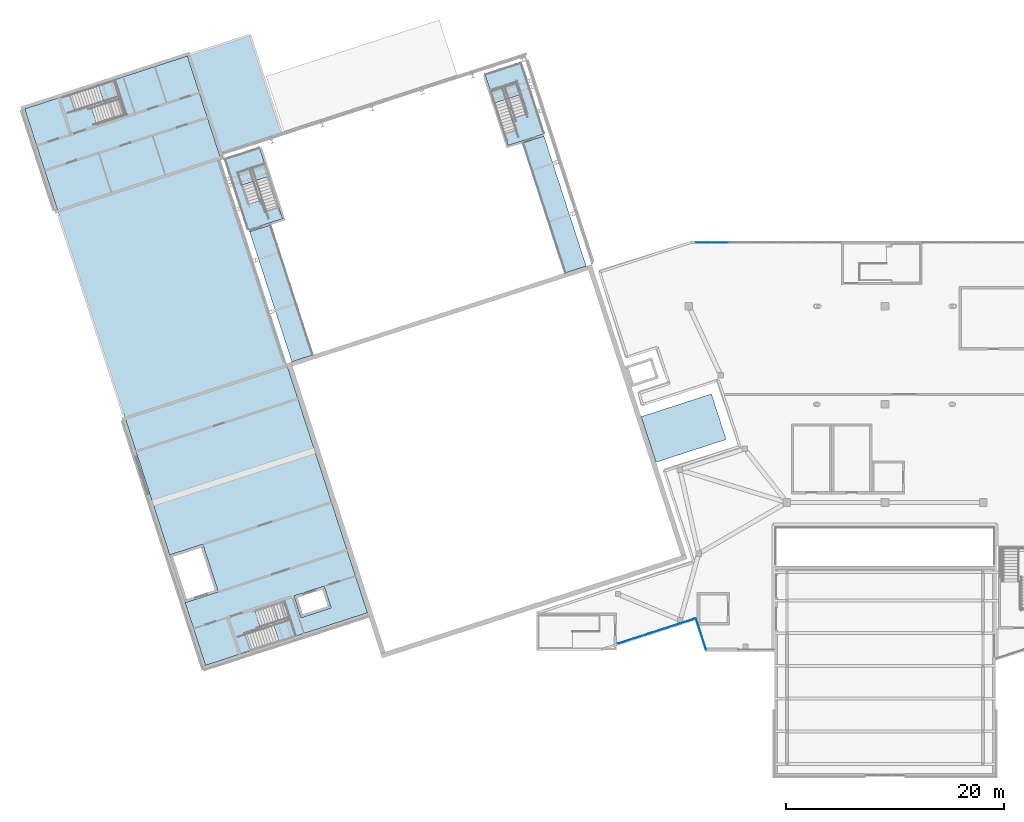
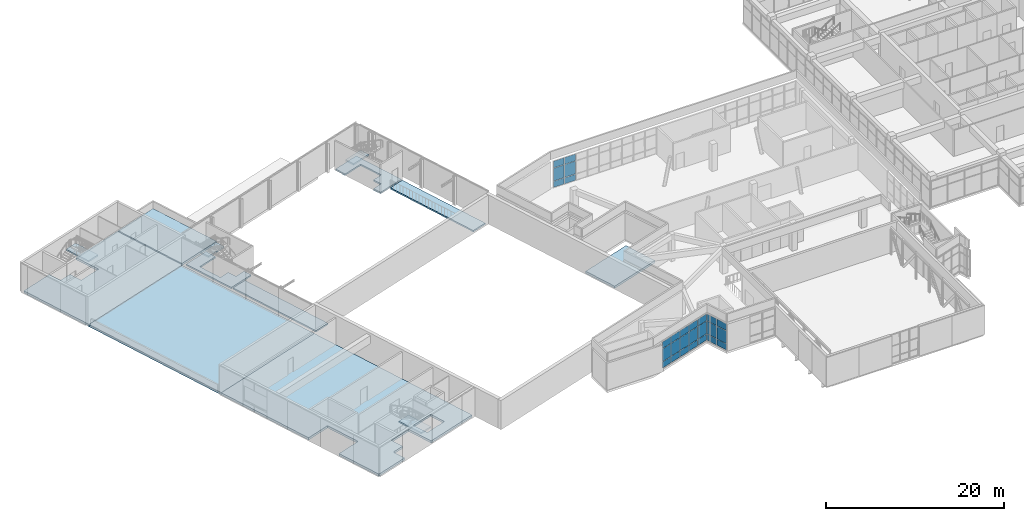
# One storey, part 54 of 72: 27 plates, 13 slabs, 7 elements without a shape of their own.
"""IFC4 building model written with IfcOpenShell, lengths in metres."""

from ifc_helpers import new_model, si_unit, direction, frame, origin, origin_2d, place, context, subcontext, project, spatial, polyline, rectangle, outline, extrude, material, layer, layer_set, type_object, element, aggregate, save


model = new_model("IFC4")

# Units and contexts
model_context = context("Model", 3, precision=1e-05, world=origin(), true_north=direction((0.0, 1.0)))
body_context = subcontext(model_context, "Body", "Model", "MODEL_VIEW")
ifc_project = project(units=[si_unit("LENGTHUNIT", "METRE"), si_unit("AREAUNIT", "SQUARE_METRE"), si_unit("VOLUMEUNIT", "CUBIC_METRE"), si_unit("PLANEANGLEUNIT", "RADIAN"), si_unit("MASSUNIT", "GRAM", prefix="KILO")], contexts=[model_context])

# Site, building, storey
site_placement = place(None, origin())
site = spatial("IfcSite", under=ifc_project, at=site_placement, CompositionType="ELEMENT")
building_placement = place(site_placement, origin())
building = spatial("IfcBuilding", under=site, at=building_placement, Name="Tuart Plaza Theatre", CompositionType="ELEMENT")
storey_placement = place(building_placement, frame((0.0, 0.0, 13.5)))
storey = spatial("IfcBuildingStorey", under=building, at=storey_placement, Name="L03", CompositionType="ELEMENT", Elevation=13.5)

# Curtain wall, plates
ifc_material_1 = material(Name="Aluminium and glass", Category="aluminium")
ifc_layer_1 = layer(ifc_material_1, 0.10009765625)
ifc_layer_set_1 = layer_set([ifc_layer_1], Name="CURTAIN WALL 1500 module")
curtain_wall_type = type_object("IfcCurtainWallType", Name="CURTAIN WALL 1500 module", PredefinedType="NOTDEFINED", material=ifc_layer_set_1)
curtain_wall_1_placement = place(storey_placement, origin())
curtain_wall_1 = element("IfcCurtainWall", 1, at=curtain_wall_1_placement, inside=storey, type_object=curtain_wall_type, Name="CW37", PredefinedType="NOTDEFINED")
ifc_material_2 = material(Name="Glass", Category="glass")
ifc_layer_2 = layer(ifc_material_2, 0.028076171875)
ifc_layer_set_2 = layer_set([ifc_layer_2], Name="CURTAIN PANEL double glazed 28")
plate_type = type_object("IfcPlateType", Name="CURTAIN PANEL double glazed 28", PredefinedType="CURTAIN_PANEL", material=ifc_layer_set_2)
plate_1_placement = place(storey_placement, frame((72.2275390625, 43.281494140625, 0.0498046875), z_axis=(0.0, 0.0, 1.0), x_axis=(0.951066723155, 0.308985579126, 0.0)))
plate_1 = element("IfcPlate", 2, at=plate_1_placement, type_object=plate_type, Name="CW37 panel 1.1", PredefinedType="CURTAIN_PANEL", context=body_context, shape_type="SweptSolid", body=[
    extrude(rectangle(XDim=1.429931640625, YDim=0.028076171875, at=origin_2d()), origin(), (0.0, 0.0, 1.0), 0.824951171875),
])
plate_2_placement = place(storey_placement, frame((72.2275390625, 43.281494140625, 0.925048828125), z_axis=(0.0, 0.0, 1.0), x_axis=(0.951066723155, 0.308985579126, 0.0)))
plate_2 = element("IfcPlate", 3, at=plate_2_placement, type_object=plate_type, Name="CW37 panel 1.2", PredefinedType="CURTAIN_PANEL", context=body_context, shape_type="SweptSolid", body=[
    extrude(rectangle(XDim=1.429931640625, YDim=0.028076171875, at=origin_2d()), origin(), (0.0, 0.0, 1.0), 1.75),
])
plate_3_placement = place(storey_placement, frame((72.2275390625, 43.281494140625, 2.72509765625), z_axis=(0.0, 0.0, 1.0), x_axis=(0.951066723155, 0.308985579126, 0.0)))
plate_3 = element("IfcPlate", 4, at=plate_3_placement, type_object=plate_type, Name="CW37 panel 1.3", PredefinedType="CURTAIN_PANEL", context=body_context, shape_type="SweptSolid", body=[
    extrude(rectangle(XDim=1.429931640625, YDim=0.028076171875, at=origin_2d()), origin(), (0.0, 0.0, 1.0), 0.925048828125),
])
plate_4_placement = place(storey_placement, frame((73.64697265625, 43.742431640625, 0.0498046875), z_axis=(0.0, 0.0, 1.0), x_axis=(0.951066723155, 0.308985579126, 0.0)))
plate_4 = element("IfcPlate", 5, at=plate_4_placement, type_object=plate_type, Name="CW37 panel 2.1", PredefinedType="CURTAIN_PANEL", context=body_context, shape_type="SweptSolid", body=[
    extrude(rectangle(XDim=1.454833984375, YDim=0.028076171875, at=origin_2d()), origin(), (0.0, 0.0, 1.0), 0.824951171875),
])
plate_5_placement = place(storey_placement, frame((73.64697265625, 43.742431640625, 0.925048828125), z_axis=(0.0, 0.0, 1.0), x_axis=(0.951066723155, 0.308985579126, 0.0)))
plate_5 = element("IfcPlate", 6, at=plate_5_placement, type_object=plate_type, Name="CW37 panel 2.2", PredefinedType="CURTAIN_PANEL", context=body_context, shape_type="SweptSolid", body=[
    extrude(rectangle(XDim=1.454833984375, YDim=0.028076171875, at=origin_2d()), origin(), (0.0, 0.0, 1.0), 1.75),
])
plate_6_placement = place(storey_placement, frame((73.64697265625, 43.742431640625, 2.72509765625), z_axis=(0.0, 0.0, 1.0), x_axis=(0.951066723155, 0.308985579126, 0.0)))
plate_6 = element("IfcPlate", 7, at=plate_6_placement, type_object=plate_type, Name="CW37 panel 2.3", PredefinedType="CURTAIN_PANEL", context=body_context, shape_type="SweptSolid", body=[
    extrude(rectangle(XDim=1.454833984375, YDim=0.028076171875, at=origin_2d()), origin(), (0.0, 0.0, 1.0), 0.925048828125),
])
plate_7_placement = place(storey_placement, frame((75.078125, 44.20751953125, 0.0498046875), z_axis=(0.0, 0.0, 1.0), x_axis=(0.951066723155, 0.308985579126, 0.0)))
plate_7 = element("IfcPlate", 8, at=plate_7_placement, type_object=plate_type, Name="CW37 panel 3.1", PredefinedType="CURTAIN_PANEL", context=body_context, shape_type="SweptSolid", body=[
    extrude(rectangle(XDim=1.454833984375, YDim=0.028076171875, at=origin_2d()), origin(), (0.0, 0.0, 1.0), 0.824951171875),
])
plate_8_placement = place(storey_placement, frame((75.078125, 44.20751953125, 0.925048828125), z_axis=(0.0, 0.0, 1.0), x_axis=(0.951066723155, 0.308985579126, 0.0)))
plate_8 = element("IfcPlate", 9, at=plate_8_placement, type_object=plate_type, Name="CW37 panel 3.2", PredefinedType="CURTAIN_PANEL", context=body_context, shape_type="SweptSolid", body=[
    extrude(rectangle(XDim=1.454833984375, YDim=0.028076171875, at=origin_2d()), origin(), (0.0, 0.0, 1.0), 1.75),
])
plate_9_placement = place(storey_placement, frame((75.078125, 44.20751953125, 2.72509765625), z_axis=(0.0, 0.0, 1.0), x_axis=(0.951066723155, 0.308985579126, 0.0)))
plate_9 = element("IfcPlate", 10, at=plate_9_placement, type_object=plate_type, Name="CW37 panel 3.3", PredefinedType="CURTAIN_PANEL", context=body_context, shape_type="SweptSolid", body=[
    extrude(rectangle(XDim=1.454833984375, YDim=0.028076171875, at=origin_2d()), origin(), (0.0, 0.0, 1.0), 0.925048828125),
])
plate_10_placement = place(storey_placement, frame((76.509521484375, 44.672607421875, 0.0498046875), z_axis=(0.0, 0.0, 1.0), x_axis=(0.951066723155, 0.308985579126, 0.0)))
plate_10 = element("IfcPlate", 11, at=plate_10_placement, type_object=plate_type, Name="CW37 panel 4.1", PredefinedType="CURTAIN_PANEL", context=body_context, shape_type="SweptSolid", body=[
    extrude(rectangle(XDim=1.454833984375, YDim=0.028076171875, at=origin_2d()), origin(), (0.0, 0.0, 1.0), 0.824951171875),
])
plate_11_placement = place(storey_placement, frame((76.509521484375, 44.672607421875, 0.925048828125), z_axis=(0.0, 0.0, 1.0), x_axis=(0.951066723155, 0.308985579126, 0.0)))
plate_11 = element("IfcPlate", 12, at=plate_11_placement, type_object=plate_type, Name="CW37 panel 4.2", PredefinedType="CURTAIN_PANEL", context=body_context, shape_type="SweptSolid", body=[
    extrude(rectangle(XDim=1.454833984375, YDim=0.028076171875, at=origin_2d()), origin(), (0.0, 0.0, 1.0), 1.75),
])
plate_12_placement = place(storey_placement, frame((76.509521484375, 44.672607421875, 2.72509765625), z_axis=(0.0, 0.0, 1.0), x_axis=(0.951066723155, 0.308985579126, 0.0)))
plate_12 = element("IfcPlate", 13, at=plate_12_placement, type_object=plate_type, Name="CW37 panel 4.3", PredefinedType="CURTAIN_PANEL", context=body_context, shape_type="SweptSolid", body=[
    extrude(rectangle(XDim=1.454833984375, YDim=0.028076171875, at=origin_2d()), origin(), (0.0, 0.0, 1.0), 0.925048828125),
])
plate_13_placement = place(storey_placement, frame((77.9287109375, 45.133544921875, 0.0498046875), z_axis=(0.0, 0.0, 1.0), x_axis=(0.951066723155, 0.308985579126, 0.0)))
plate_13 = element("IfcPlate", 14, at=plate_13_placement, type_object=plate_type, Name="CW37 panel 5.1", PredefinedType="CURTAIN_PANEL", context=body_context, shape_type="SweptSolid", body=[
    extrude(rectangle(XDim=1.429931640625, YDim=0.028076171875, at=origin_2d()), origin(), (0.0, 0.0, 1.0), 0.824951171875),
])
plate_14_placement = place(storey_placement, frame((77.9287109375, 45.133544921875, 0.925048828125), z_axis=(0.0, 0.0, 1.0), x_axis=(0.951066723155, 0.308985579126, 0.0)))
plate_14 = element("IfcPlate", 15, at=plate_14_placement, type_object=plate_type, Name="CW37 panel 5.2", PredefinedType="CURTAIN_PANEL", context=body_context, shape_type="SweptSolid", body=[
    extrude(rectangle(XDim=1.429931640625, YDim=0.028076171875, at=origin_2d()), origin(), (0.0, 0.0, 1.0), 1.75),
])
plate_15_placement = place(storey_placement, frame((77.9287109375, 45.133544921875, 2.72509765625), z_axis=(0.0, 0.0, 1.0), x_axis=(0.951066723155, 0.308985579126, 0.0)))
plate_15 = element("IfcPlate", 16, at=plate_15_placement, type_object=plate_type, Name="CW37 panel 5.3", PredefinedType="CURTAIN_PANEL", context=body_context, shape_type="SweptSolid", body=[
    extrude(rectangle(XDim=1.429931640625, YDim=0.028076171875, at=origin_2d()), origin(), (0.0, 0.0, 1.0), 0.925048828125),
])
aggregate(curtain_wall_1, [plate_1, plate_2, plate_3, plate_4, plate_5, plate_6, plate_7, plate_8, plate_9, plate_10, plate_11, plate_12, plate_13, plate_14, plate_15])

curtain_wall_2_placement = place(storey_placement, origin())
curtain_wall_2 = element("IfcCurtainWall", 17, at=curtain_wall_2_placement, inside=storey, type_object=curtain_wall_type, Name="CW38", PredefinedType="NOTDEFINED")
plate_16_placement = place(storey_placement, frame((78.89501953125, 44.635009765625, 0.0498046875), z_axis=(0.0, 0.0, 1.0), x_axis=(0.309018232516, -0.951056113998, 0.0)))
plate_16 = element("IfcPlate", 18, at=plate_16_placement, type_object=plate_type, Name="CW38 panel 1.1", PredefinedType="CURTAIN_PANEL", context=body_context, shape_type="SweptSolid", body=[
    extrude(rectangle(XDim=1.4453125, YDim=0.028076171875, at=origin_2d()), origin(), (0.0, 0.0, 1.0), 0.824951171875),
])
plate_17_placement = place(storey_placement, frame((78.89501953125, 44.635009765625, 0.925048828125), z_axis=(0.0, 0.0, 1.0), x_axis=(0.309018232516, -0.951056113998, 0.0)))
plate_17 = element("IfcPlate", 19, at=plate_17_placement, type_object=plate_type, Name="CW38 panel 1.2", PredefinedType="CURTAIN_PANEL", context=body_context, shape_type="SweptSolid", body=[
    extrude(rectangle(XDim=1.4453125, YDim=0.028076171875, at=origin_2d()), origin(), (0.0, 0.0, 1.0), 1.75),
])
plate_18_placement = place(storey_placement, frame((78.89501953125, 44.635009765625, 2.72509765625), z_axis=(0.0, 0.0, 1.0), x_axis=(0.309018232516, -0.951056113998, 0.0)))
plate_18 = element("IfcPlate", 20, at=plate_18_placement, type_object=plate_type, Name="CW38 panel 1.3", PredefinedType="CURTAIN_PANEL", context=body_context, shape_type="SweptSolid", body=[
    extrude(rectangle(XDim=1.4453125, YDim=0.028076171875, at=origin_2d()), origin(), (0.0, 0.0, 1.0), 0.925048828125),
])
plate_19_placement = place(storey_placement, frame((79.357177734375, 43.212890625, 0.0498046875), z_axis=(0.0, 0.0, 1.0), x_axis=(0.309018232516, -0.951056113998, 0.0)))
plate_19 = element("IfcPlate", 21, at=plate_19_placement, type_object=plate_type, Name="CW38 panel 2.1", PredefinedType="CURTAIN_PANEL", context=body_context, shape_type="SweptSolid", body=[
    extrude(rectangle(XDim=1.4453125, YDim=0.028076171875, at=origin_2d()), origin(), (0.0, 0.0, 1.0), 0.824951171875),
])
plate_20_placement = place(storey_placement, frame((79.357177734375, 43.212890625, 0.925048828125), z_axis=(0.0, 0.0, 1.0), x_axis=(0.309018232516, -0.951056113998, 0.0)))
plate_20 = element("IfcPlate", 22, at=plate_20_placement, type_object=plate_type, Name="CW38 panel 2.2", PredefinedType="CURTAIN_PANEL", context=body_context, shape_type="SweptSolid", body=[
    extrude(rectangle(XDim=1.4453125, YDim=0.028076171875, at=origin_2d()), origin(), (0.0, 0.0, 1.0), 1.75),
])
plate_21_placement = place(storey_placement, frame((79.357177734375, 43.212890625, 2.72509765625), z_axis=(0.0, 0.0, 1.0), x_axis=(0.309018232516, -0.951056113998, 0.0)))
plate_21 = element("IfcPlate", 23, at=plate_21_placement, type_object=plate_type, Name="CW38 panel 2.3", PredefinedType="CURTAIN_PANEL", context=body_context, shape_type="SweptSolid", body=[
    extrude(rectangle(XDim=1.4453125, YDim=0.028076171875, at=origin_2d()), origin(), (0.0, 0.0, 1.0), 0.925048828125),
])
aggregate(curtain_wall_2, [plate_16, plate_17, plate_18, plate_19, plate_20, plate_21])

curtain_wall_3_placement = place(storey_placement, origin())
curtain_wall_3 = element("IfcCurtainWall", 24, at=curtain_wall_3_placement, inside=storey, type_object=curtain_wall_type, Name="CW44", PredefinedType="NOTDEFINED")
plate_22_placement = place(storey_placement, frame((79.351318359375, 79.8369140625, 0.0498046875), z_axis=(0.0, 0.0, 1.0), x_axis=(1.0, 0.0, 0.0)))
plate_22 = element("IfcPlate", 25, at=plate_22_placement, type_object=plate_type, Name="CW44 panel 1.1", PredefinedType="CURTAIN_PANEL", context=body_context, shape_type="SweptSolid", body=[
    extrude(rectangle(XDim=1.41455078125, YDim=0.028076171875, at=origin_2d()), origin(), (0.0, 0.0, 1.0), 0.824951171875),
])
plate_23_placement = place(storey_placement, frame((79.351318359375, 79.8369140625, 0.925048828125), z_axis=(0.0, 0.0, 1.0), x_axis=(1.0, 0.0, 0.0)))
plate_23 = element("IfcPlate", 26, at=plate_23_placement, type_object=plate_type, Name="CW44 panel 1.2", PredefinedType="CURTAIN_PANEL", context=body_context, shape_type="SweptSolid", body=[
    extrude(rectangle(XDim=1.41455078125, YDim=0.028076171875, at=origin_2d()), origin(), (0.0, 0.0, 1.0), 1.75),
])
plate_24_placement = place(storey_placement, frame((79.351318359375, 79.8369140625, 2.72509765625), z_axis=(0.0, 0.0, 1.0), x_axis=(1.0, 0.0, 0.0)))
plate_24 = element("IfcPlate", 27, at=plate_24_placement, type_object=plate_type, Name="CW44 panel 1.3", PredefinedType="CURTAIN_PANEL", context=body_context, shape_type="SweptSolid", body=[
    extrude(rectangle(XDim=1.41455078125, YDim=0.028076171875, at=origin_2d()), origin(), (0.0, 0.0, 1.0), 0.925048828125),
])
plate_25_placement = place(storey_placement, frame((80.828369140625, 79.8369140625, 0.0498046875), z_axis=(0.0, 0.0, 1.0), x_axis=(1.0, 0.0, 0.0)))
plate_25 = element("IfcPlate", 28, at=plate_25_placement, type_object=plate_type, Name="CW44 panel 2.1", PredefinedType="CURTAIN_PANEL", context=body_context, shape_type="SweptSolid", body=[
    extrude(rectangle(XDim=1.439453125, YDim=0.028076171875, at=origin_2d()), origin(), (0.0, 0.0, 1.0), 0.824951171875),
])
plate_26_placement = place(storey_placement, frame((80.828369140625, 79.8369140625, 0.925048828125), z_axis=(0.0, 0.0, 1.0), x_axis=(1.0, 0.0, 0.0)))
plate_26 = element("IfcPlate", 29, at=plate_26_placement, type_object=plate_type, Name="CW44 panel 2.2", PredefinedType="CURTAIN_PANEL", context=body_context, shape_type="SweptSolid", body=[
    extrude(rectangle(XDim=1.439453125, YDim=0.028076171875, at=origin_2d()), origin(), (0.0, 0.0, 1.0), 1.75),
])
plate_27_placement = place(storey_placement, frame((80.828369140625, 79.8369140625, 2.72509765625), z_axis=(0.0, 0.0, 1.0), x_axis=(1.0, 0.0, 0.0)))
plate_27 = element("IfcPlate", 30, at=plate_27_placement, type_object=plate_type, Name="CW44 panel 2.3", PredefinedType="CURTAIN_PANEL", context=body_context, shape_type="SweptSolid", body=[
    extrude(rectangle(XDim=1.439453125, YDim=0.028076171875, at=origin_2d()), origin(), (0.0, 0.0, 1.0), 0.925048828125),
])
aggregate(curtain_wall_3, [plate_22, plate_23, plate_24, plate_25, plate_26, plate_27])

# Slabs
ifc_material_3 = material(Name="Concrete N40 (40 MPa)", Category="concrete")
ifc_layer_3 = layer(ifc_material_3, 0.199951171875)
ifc_layer_set_3 = layer_set([ifc_layer_3], Name="SLAB Floor 200 Concrete N40 (40 MPa)")
slab_type_1 = type_object("IfcSlabType", Name="SLAB Floor 200 Concrete N40 (40 MPa)", PredefinedType="FLOOR", material=ifc_layer_set_3)
slab_1_placement = place(storey_placement, frame((0.0, 0.0, -0.199951171875)))
element("IfcSlab", 31, at=slab_1_placement, inside=storey, type_object=slab_type_1, Name="S6", PredefinedType="FLOOR", context=body_context, shape_type="SweptSolid", body=[
    extrude(outline(polyline([(35.45068359375, 87.50634765625), (37.559814453125, 81.015380859375), (40.721923828125, 82.042724609375), (40.38818359375, 83.06982421875), (39.114013671875, 82.65576171875), (38.75537109375, 83.759033203125), (37.4951171875, 83.349609375), (36.531005859375, 86.31689453125), (39.065673828125, 87.140380859375), (38.613037109375, 88.53369140625), (35.45068359375, 87.50634765625)])), origin(), (0.0, 0.0, 1.0), 0.199951171875),
])
slab_2_placement = place(storey_placement, frame((0.0, 0.0, -0.199951171875)))
element("IfcSlab", 32, at=slab_2_placement, inside=storey, type_object=slab_type_1, Name="S11", PredefinedType="FLOOR", context=body_context, shape_type="SweptSolid", body=[
    extrude(outline(polyline([(62.21435546875, 94.661865234375), (63.178466796875, 91.694580078125), (61.91845703125, 91.28515625), (62.27685546875, 90.181884765625), (61.07373046875, 89.791015625), (61.407470703125, 88.763916015625), (64.71240234375, 89.837646484375), (62.603271484375, 96.32861328125), (59.29833984375, 95.2548828125), (59.751220703125, 93.861572265625), (62.21435546875, 94.661865234375)])), origin(), (0.0, 0.0, 1.0), 0.199951171875),
])
slab_3_placement = place(storey_placement, frame((0.0, 0.0, -0.199951171875)))
element("IfcSlab", 33, at=slab_3_placement, inside=storey, type_object=slab_type_1, Name="S56", PredefinedType="FLOOR", context=body_context, shape_type="SweptSolid", body=[
    extrude(outline(polyline([(43.47314453125, 69.530517578125), (39.594970703125, 81.46630859375), (37.69287109375, 80.84814453125), (41.571044921875, 68.91259765625), (43.47314453125, 69.530517578125)])), origin(), (0.0, 0.0, 1.0), 0.199951171875),
])
slab_4_placement = place(storey_placement, frame((0.0, 0.0, -0.199951171875)))
element("IfcSlab", 34, at=slab_4_placement, inside=storey, type_object=slab_type_1, Name="S57", PredefinedType="FLOOR", context=body_context, shape_type="SweptSolid", body=[
    extrude(outline(polyline([(68.5810546875, 77.6884765625), (64.702880859375, 89.624267578125), (62.80078125, 89.00634765625), (66.678955078125, 77.070556640625), (68.5810546875, 77.6884765625)])), origin(), (0.0, 0.0, 1.0), 0.199951171875),
])
ifc_material_4 = material(Name="Concrete N40 (40 MPa)", Category="concrete")
ifc_layer_4 = layer(ifc_material_4, 0.300048828125)
ifc_layer_set_4 = layer_set([ifc_layer_4], Name="SLAB Floor 300 Concrete N40 (40 MPa)")
slab_type_2 = type_object("IfcSlabType", Name="SLAB Floor 300 Concrete N40 (40 MPa)", PredefinedType="FLOOR", material=ifc_layer_set_4)
slab_5_placement = place(storey_placement, frame((0.0, 0.0, -0.300048828125)))
element("IfcSlab", 35, at=slab_5_placement, inside=storey, type_object=slab_type_2, Name="S30", PredefinedType="FLOOR", context=body_context, shape_type="SweptSolid", body=[
    extrude(outline(polyline([(26.273193359375, 63.731689453125), (30.352294921875, 51.177734375), (33.395751953125, 52.16650390625), (34.817138671875, 47.791748046875), (31.773681640625, 46.802978515625), (33.643310546875, 41.049072265625), (37.742431640625, 42.380859375), (37.217041015625, 43.99755859375), (38.70068359375, 44.479736328125), (38.17529296875, 46.096435546875), (40.933349609375, 46.99267578125), (41.984130859375, 43.759033203125), (48.503662109375, 45.87744140625), (41.133544921875, 68.56005859375), (26.273193359375, 63.731689453125)]), holes=[polyline([(44.529541015625, 48.31884765625), (41.771484375, 47.422607421875), (42.42041015625, 45.425537109375), (45.178466796875, 46.321533203125), (44.529541015625, 48.31884765625)])]), origin(), (0.0, 0.0, 1.0), 0.300048828125),
])
slab_6_placement = place(storey_placement, frame((0.0, 0.0, -0.300048828125)))
element("IfcSlab", 36, at=slab_6_placement, inside=storey, type_object=slab_type_2, Name="S31", PredefinedType="FLOOR", context=body_context, shape_type="SweptSolid", body=[
    extrude(outline(polyline([(25.389892578125, 94.830810546875), (26.4404296875, 91.59716796875), (23.6826171875, 90.700927734375), (23.1572265625, 92.31787109375), (21.673583984375, 91.835693359375), (21.148193359375, 93.45263671875), (17.049072265625, 92.12060546875), (20.093017578125, 82.752685546875), (35.0244140625, 87.604248046875), (31.980712890625, 96.97216796875), (25.389892578125, 94.830810546875)])), origin(), (0.0, 0.0, 1.0), 0.300048828125),
])
ifc_material_5 = material(Name="Concrete N40 (40 MPa)", Category="concrete")
ifc_layer_5 = layer(ifc_material_5, 0.300048828125)
ifc_layer_set_5 = layer_set([ifc_layer_5], Name="SLAB Roof 300 Concrete N40 (40 MPa)")
slab_type_3 = type_object("IfcSlabType", Name="SLAB Roof 300 Concrete N40 (40 MPa)", PredefinedType="ROOF", material=ifc_layer_set_5)
slab_7_placement = place(storey_placement, frame((0.0, 0.0, -0.300048828125)))
element("IfcSlab", 37, at=slab_7_placement, inside=storey, type_object=slab_type_3, Name="SR1", PredefinedType="ROOF", context=body_context, shape_type="SweptSolid", body=[
    extrude(outline(polyline([(81.426025390625, 61.779296875), (80.06640625, 65.9638671875), (73.622802734375, 63.870361328125), (74.982666015625, 59.685546875), (81.426025390625, 61.779296875)])), origin(), (0.0, 0.0, 1.0), 0.300048828125),
])
slab_8_placement = place(storey_placement, frame((0.0, 0.0, -0.300048828125)))
element("IfcSlab", 38, at=slab_8_placement, inside=storey, type_object=slab_type_3, Name="SR4", PredefinedType="ROOF", context=body_context, shape_type="SweptSolid", body=[
    extrude(outline(polyline([(41.133544921875, 68.56005859375), (34.953125, 87.581298828125), (20.093017578125, 82.752685546875), (26.273193359375, 63.731689453125), (41.133544921875, 68.56005859375)])), origin(), (0.0, 0.0, 1.0), 0.300048828125),
])
slab_9_placement = place(storey_placement, frame((0.0, 0.0, -0.300048828125)))
element("IfcSlab", 39, at=slab_9_placement, inside=storey, type_object=slab_type_3, Name="SR5", PredefinedType="ROOF", context=body_context, shape_type="SweptSolid", body=[
    extrude(outline(polyline([(40.661376953125, 89.67236328125), (37.68701171875, 98.826416015625), (32.123291015625, 97.0185546875), (35.09765625, 87.86474609375), (40.661376953125, 89.67236328125)])), origin(), (0.0, 0.0, 1.0), 0.300048828125),
])

# Stair, slab
ifc_material_6 = material(Name="Concrete N40 (40 MPa)", Category="concrete")
stair_type_1 = type_object("IfcStairType", Name="STAIR half turn 1600", PredefinedType="HALF_TURN_STAIR", material=ifc_material_6)
stair_1_placement = place(storey_placement, origin())
stair_1 = element("IfcStair", 40, at=stair_1_placement, inside=storey, type_object=stair_type_1, Name="SA-1", PredefinedType="HALF_TURN_STAIR")
ifc_material_7 = material(Name="Concrete N40 (40 MPa)", Category="concrete")
ifc_layer_6 = layer(ifc_material_7, 0.199951171875)
ifc_layer_set_6 = layer_set([ifc_layer_6], Name="STAIR LANDING 200")
slab_type_4 = type_object("IfcSlabType", Name="STAIR LANDING 200", PredefinedType="LANDING", material=ifc_layer_set_6)
slab_10_placement = place(storey_placement, frame((0.0, 0.0, 1.800048828125)))
slab_10 = element("IfcSlab", 41, at=slab_10_placement, type_object=slab_type_4, Name="SA-1 landing 1", PredefinedType="LANDING", context=body_context, shape_type="SweptSolid", body=[
    extrude(outline(polyline([(40.3857421875, 43.24169921875), (41.93603515625, 43.74560546875), (40.886474609375, 46.975341796875), (39.336181640625, 46.4716796875), (40.3857421875, 43.24169921875)])), origin(), (0.0, 0.0, 1.0), 0.199951171875),
])
aggregate(stair_1, [slab_10])

stair_2_placement = place(storey_placement, origin())
stair_2 = element("IfcStair", 42, at=stair_2_placement, inside=storey, type_object=stair_type_1, Name="SA-2", PredefinedType="HALF_TURN_STAIR")
slab_11_placement = place(storey_placement, frame((0.0, 0.0, 1.800048828125)))
slab_11 = element("IfcSlab", 43, at=slab_11_placement, type_object=slab_type_4, Name="SA-2 landing 1", PredefinedType="LANDING", context=body_context, shape_type="SweptSolid", body=[
    extrude(outline(polyline([(23.792724609375, 94.309814453125), (25.343017578125, 94.8134765625), (26.392333984375, 91.583740234375), (24.842041015625, 91.079833984375), (23.792724609375, 94.309814453125)])), origin(), (0.0, 0.0, 1.0), 0.199951171875),
])
aggregate(stair_2, [slab_11])

ifc_material_8 = material(Name="Concrete N40 (40 MPa)", Category="concrete")
stair_type_2 = type_object("IfcStairType", Name="STAIR half turn 1200", PredefinedType="HALF_TURN_STAIR", material=ifc_material_8)
stair_3_placement = place(storey_placement, origin())
stair_3 = element("IfcStair", 44, at=stair_3_placement, inside=storey, type_object=stair_type_2, Name="SA-4", PredefinedType="HALF_TURN_STAIR")
slab_12_placement = place(storey_placement, frame((0.0, 0.0, 1.800048828125)))
slab_12 = element("IfcSlab", 45, at=slab_12_placement, type_object=slab_type_4, Name="SA-4 landing 1", PredefinedType="LANDING", context=body_context, shape_type="SweptSolid", body=[
    extrude(outline(polyline([(39.459228515625, 85.92236328125), (39.0791015625, 87.09228515625), (36.593994140625, 86.284912109375), (36.97412109375, 85.114990234375), (39.459228515625, 85.92236328125)])), origin(), (0.0, 0.0, 1.0), 0.199951171875),
])
aggregate(stair_3, [slab_12])

stair_4_placement = place(storey_placement, origin())
stair_4 = element("IfcStair", 46, at=stair_4_placement, inside=storey, type_object=stair_type_2, Name="SA-5", PredefinedType="HALF_TURN_STAIR")
slab_13_placement = place(storey_placement, frame((0.0, 0.0, 1.800048828125)))
slab_13 = element("IfcSlab", 47, at=slab_13_placement, type_object=slab_type_4, Name="SA-5 landing 1", PredefinedType="LANDING", context=body_context, shape_type="SweptSolid", body=[
    extrude(outline(polyline([(60.13720703125, 92.64111328125), (59.757080078125, 93.81103515625), (62.182373046875, 94.598876953125), (62.5625, 93.42919921875), (60.13720703125, 92.64111328125)])), origin(), (0.0, 0.0, 1.0), 0.199951171875),
])
aggregate(stair_4, [slab_13])

save(model, "model.ifc")
